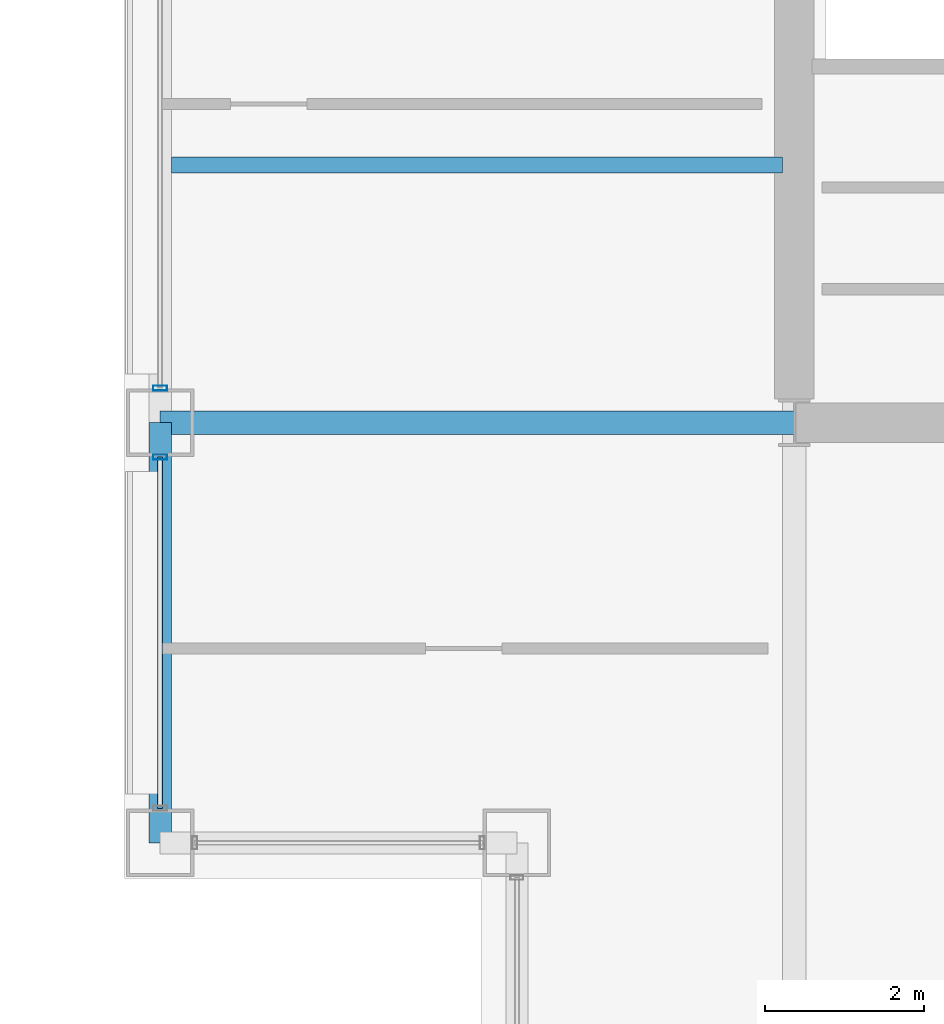
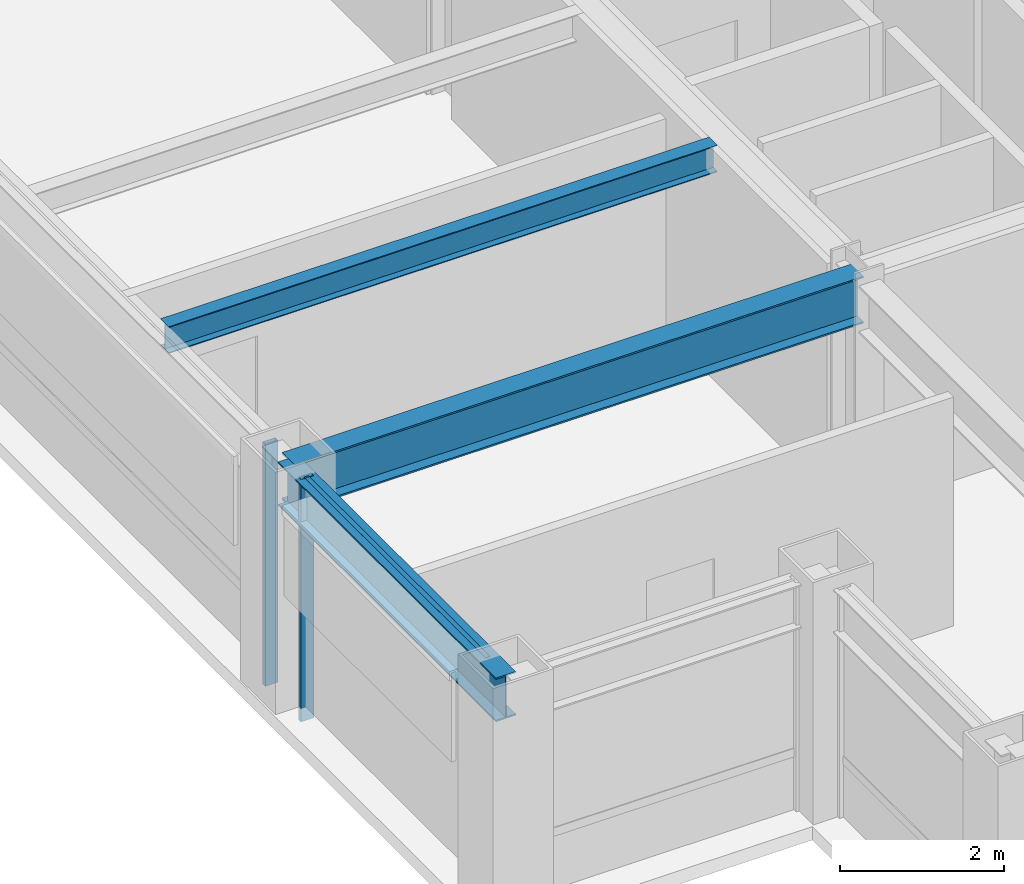
# One storey, part 4 of 34: 3 beams, 3 members, 2 elements without a shape of their own.
"""IFC4 building model written with IfcOpenShell, lengths in metres."""

from ifc_helpers import new_model, si_unit, direction, frame, origin, origin_2d, place, context, subcontext, project, spatial, hollow_rectangle, i_section, extrude, material, layer, layer_set, material_profile, profile_set, type_object, element, aggregate, save


model = new_model("IFC4")

# Units and contexts
model_context = context("Model", 3, precision=1e-05, world=origin(), true_north=direction((0.0, 1.0)))
body_context = subcontext(model_context, "Body", "Model", "MODEL_VIEW")
ifc_project = project(units=[si_unit("LENGTHUNIT", "METRE"), si_unit("AREAUNIT", "SQUARE_METRE"), si_unit("VOLUMEUNIT", "CUBIC_METRE"), si_unit("PLANEANGLEUNIT", "RADIAN"), si_unit("MASSUNIT", "GRAM", prefix="KILO")], contexts=[model_context])

# Site, building, storey
site_placement = place(None, origin())
site = spatial("IfcSite", under=ifc_project, at=site_placement, CompositionType="ELEMENT")
building_placement = place(site_placement, origin())
building = spatial("IfcBuilding", under=site, at=building_placement, Name="Brelmoor Portico Tower", CompositionType="ELEMENT")
storey_placement = place(building_placement, frame((0.0, 0.0, 117.0)))
storey = spatial("IfcBuildingStorey", under=building, at=storey_placement, Name="L30", CompositionType="ELEMENT", Elevation=117.0)

# Beams
ifc_material_1 = material(Name="Steel Q355B", Category="steel")
ifc_material_profile_1 = material_profile(ifc_material_1, i_section(OverallWidth=0.199951171875, OverallDepth=0.39990234375, WebThickness=0.008056640625, FlangeThickness=0.012939453125, at=origin_2d()), Name="HN 400x200x8x13")
ifc_profile_set_1 = profile_set([ifc_material_profile_1], Name="Steel Q355B")
beam_type_1 = type_object("IfcBeamType", Name="BM-JS-400", PredefinedType="JOIST", material=ifc_profile_set_1)
beam_1_placement = place(storey_placement, frame((-22.409912109375, -6.5, 3.199951171875), z_axis=(1.0, 0.0, 0.0), x_axis=(0.0, 1.0, 0.0)))
element("IfcBeam", 1, at=beam_1_placement, inside=storey, type_object=beam_type_1, Name="L30 Secondary Wing Joist JS-W05", PredefinedType="JOIST", context=body_context, shape_type="SweptSolid", body=[
    extrude(i_section(OverallWidth=0.199951171875, OverallDepth=0.39990234375, WebThickness=0.008056640625, FlangeThickness=0.012939453125, at=origin_2d()), origin(), (0.0, 0.0, 1.0), 7.7099609375),
])
ifc_material_profile_2 = material_profile(ifc_material_1, i_section(OverallWidth=0.300048828125, OverallDepth=0.699951171875, WebThickness=0.012939453125, FlangeThickness=0.02392578125, at=origin_2d()), Name="HN 700x300x13x24")
ifc_profile_set_2 = profile_set([ifc_material_profile_2], Name="Steel Q355B")
beam_type_2 = type_object("IfcBeamType", Name="BM-PG-700", PredefinedType="BEAM", material=ifc_profile_set_2)
beam_2_placement = place(storey_placement, frame((-22.550048828125, -9.75, 3.050048828125), z_axis=(1.0, 0.0, 0.0), x_axis=(0.0, 1.0, 0.0)))
element("IfcBeam", 2, at=beam_2_placement, inside=storey, type_object=beam_type_2, Name="L30 Primary Floor Girder PG-14", PredefinedType="BEAM", context=body_context, shape_type="SweptSolid", body=[
    extrude(i_section(OverallWidth=0.300048828125, OverallDepth=0.699951171875, WebThickness=0.012939453125, FlangeThickness=0.02392578125, at=origin_2d()), origin(), (0.0, 0.0, 1.0), 8.0),
])
ifc_material_profile_3 = material_profile(ifc_material_1, i_section(OverallWidth=0.280029296875, OverallDepth=0.64990234375, WebThickness=0.012939453125, FlangeThickness=0.02197265625, at=origin_2d()), Name="HN 650x280x13x22")
ifc_profile_set_3 = profile_set([ifc_material_profile_3], Name="Steel Q355B")
beam_type_3 = type_object("IfcBeamType", Name="BM-SP-650", PredefinedType="SPANDREL", material=ifc_profile_set_3)
beam_3_placement = place(storey_placement, frame((-22.550048828125, -15.050048828125, 3.074951171875), z_axis=(0.0, 1.0, 0.0), x_axis=(-1.0, 0.0, 0.0)))
element("IfcBeam", 3, at=beam_3_placement, inside=storey, type_object=beam_type_3, Name="L30 Perimeter Spandrel Beam SP-15", PredefinedType="SPANDREL", context=body_context, shape_type="SweptSolid", body=[
    extrude(i_section(OverallWidth=0.280029296875, OverallDepth=0.64990234375, WebThickness=0.012939453125, FlangeThickness=0.02197265625, at=origin_2d()), origin(), (0.0, 0.0, 1.0), 5.300048828125),
])

# Curtain wall, member
ifc_material_2 = material(Name="Anodised Aluminium Alloy 6063-T6", Category="aluminium")
ifc_layer_1 = layer(ifc_material_2, 0.179931640625)
ifc_layer_set_1 = layer_set([ifc_layer_1], Name="Anodised Aluminium Alloy 6063-T6")
curtain_wall_type_1 = type_object("IfcCurtainWallType", Name="CW-TOWER-Z2-XB", PredefinedType="NOTDEFINED", material=ifc_layer_set_1)
curtain_wall_1_placement = place(storey_placement, origin())
curtain_wall_1 = element("IfcCurtainWall", 4, at=curtain_wall_1_placement, inside=storey, type_object=curtain_wall_type_1, Name="L30 Curtain Wall CW-L30-03-1", PredefinedType="NOTDEFINED")
ifc_material_profile_4 = material_profile(ifc_material_2, hollow_rectangle(XDim=0.06494140625, YDim=0.179931640625, WallThickness=0.00390625, at=origin_2d()), Name="ALU MULLION 65x180")
ifc_profile_set_4 = profile_set([ifc_material_profile_4], Name="Anodised Aluminium Alloy 6063-T6")
member_type_1 = type_object("IfcMemberType", Name="MB-CW-MULL-180", PredefinedType="MULLION", material=ifc_profile_set_4)
member_1_placement = place(storey_placement, frame((-22.550048828125, -10.18505859375, -0.199951171875), z_axis=(0.0, 0.0, 1.0), x_axis=(0.0, 1.0, 0.0)))
member_1 = element("IfcMember", 5, at=member_1_placement, type_object=member_type_1, Name="CW-L30-03-1 Mullion 01", PredefinedType="MULLION", context=body_context, shape_type="SweptSolid", body=[
    extrude(hollow_rectangle(XDim=0.06494140625, YDim=0.179931640625, WallThickness=0.00390625, at=origin_2d()), origin(), (0.0, 0.0, 1.0), 3.599853515625),
])

ifc_layer_2 = layer(ifc_material_2, 0.179931640625)
ifc_layer_set_2 = layer_set([ifc_layer_2], Name="Anodised Aluminium Alloy 6063-T6")
curtain_wall_type_2 = type_object("IfcCurtainWallType", Name="CW-TOWER-Z2", PredefinedType="NOTDEFINED", material=ifc_layer_set_2)
curtain_wall_2_placement = place(storey_placement, origin())
curtain_wall_2 = element("IfcCurtainWall", 6, at=curtain_wall_2_placement, inside=storey, type_object=curtain_wall_type_2, Name="L30 Curtain Wall CW-L30-03-2", PredefinedType="NOTDEFINED")
member_2_placement = place(storey_placement, frame((-22.550048828125, -9.31494140625, -0.199951171875), z_axis=(0.0, 0.0, 1.0), x_axis=(0.0, 1.0, 0.0)))
member_2 = element("IfcMember", 7, at=member_2_placement, type_object=member_type_1, Name="CW-L30-03-2 Mullion 00", PredefinedType="MULLION", context=body_context, shape_type="SweptSolid", body=[
    extrude(hollow_rectangle(XDim=0.06494140625, YDim=0.179931640625, WallThickness=0.00390625, at=origin_2d()), origin(), (0.0, 0.0, 1.0), 3.599853515625),
])
aggregate(curtain_wall_2, [member_2])

# Member
ifc_material_profile_5 = material_profile(ifc_material_2, hollow_rectangle(XDim=0.06494140625, YDim=0.139892578125, WallThickness=0.00390625, at=origin_2d()), Name="ALU TRANSOM 65x140")
ifc_profile_set_5 = profile_set([ifc_material_profile_5], Name="Anodised Aluminium Alloy 6063-T6")
member_type_2 = type_object("IfcMemberType", Name="MB-CW-TRAN-140", PredefinedType="USERDEFINED", material=ifc_profile_set_5)
member_3_placement = place(storey_placement, frame((-22.550048828125, -14.614990234375, 3.330078125), z_axis=(0.0, 1.0, 0.0), x_axis=(-1.0, 0.0, 0.0)))
member_3 = element("IfcMember", 8, at=member_3_placement, type_object=member_type_2, Name="CW-L30-03-1 Transom 1-00", ObjectType="TRANSOM", PredefinedType="USERDEFINED", context=body_context, shape_type="SweptSolid", body=[
    extrude(hollow_rectangle(XDim=0.06494140625, YDim=0.139892578125, WallThickness=0.00390625, at=origin_2d()), origin(), (0.0, 0.0, 1.0), 4.429931640625),
])

aggregate(curtain_wall_1, [member_1, member_3])

save(model, "model.ifc")
